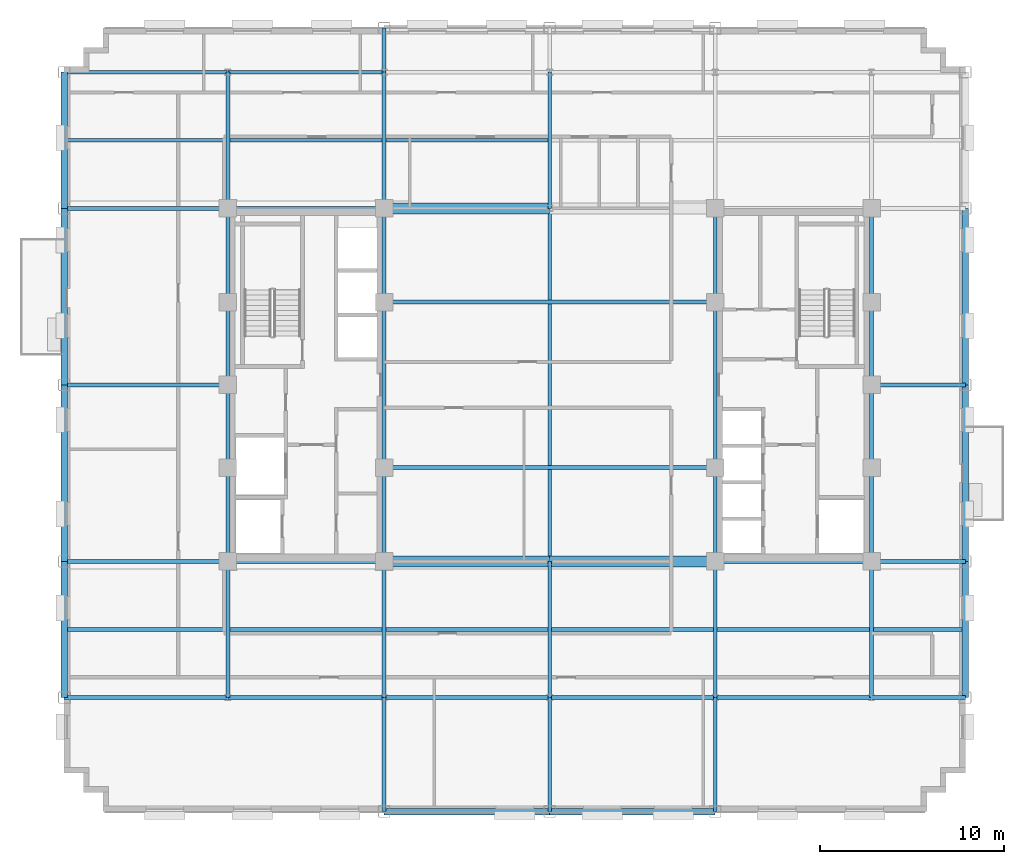
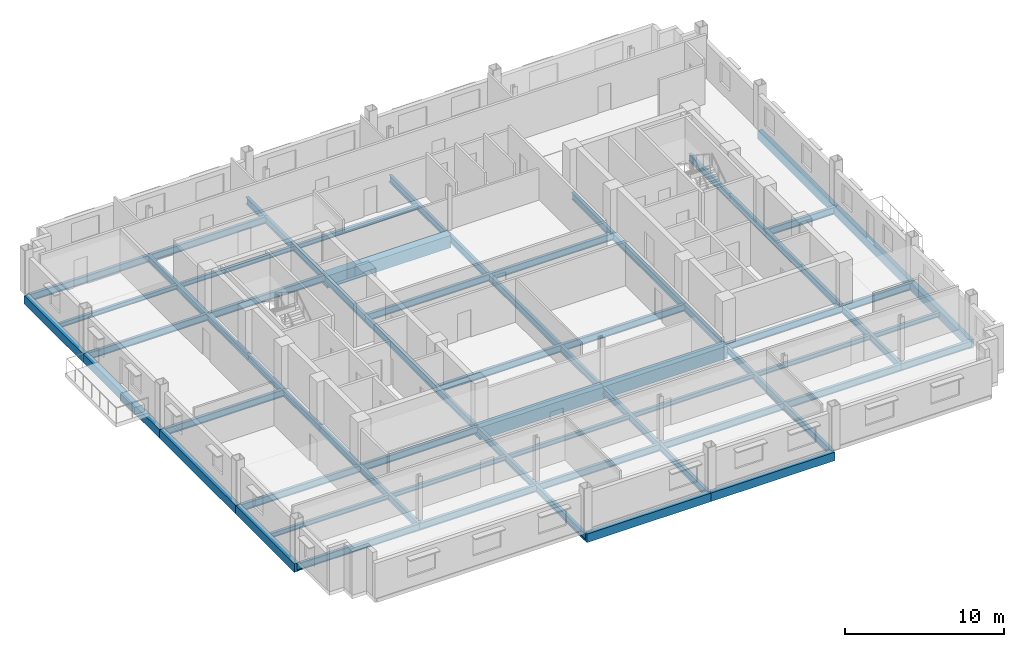
# One storey, part 5 of 14: 66 beams.
"""IFC4 building model written with IfcOpenShell, lengths in metres."""

from ifc_helpers import new_model, si_unit, direction, frame, origin, origin_2d, place, context, subcontext, project, spatial, rectangle, i_section, extrude, material, material_profile, profile_set, type_object, element, save


model = new_model("IFC4")

# Units and contexts
model_context = context("Model", 3, precision=1e-05, world=origin(), true_north=direction((0.0, 1.0)))
body_context = subcontext(model_context, "Body", "Model", "MODEL_VIEW")
ifc_project = project(units=[si_unit("LENGTHUNIT", "METRE"), si_unit("AREAUNIT", "SQUARE_METRE"), si_unit("VOLUMEUNIT", "CUBIC_METRE"), si_unit("PLANEANGLEUNIT", "RADIAN"), si_unit("MASSUNIT", "GRAM", prefix="KILO")], contexts=[model_context])

# Site, building, storey
site_placement = place(None, origin())
site = spatial("IfcSite", under=ifc_project, at=site_placement, CompositionType="ELEMENT")
building_placement = place(site_placement, origin())
building = spatial("IfcBuilding", under=site, at=building_placement, Name="Nuvemarco Arch Tower", CompositionType="ELEMENT")
storey_placement = place(building_placement, frame((0.0, 0.0, 174.949951171875)))
storey = spatial("IfcBuildingStorey", under=building, at=storey_placement, Name="L46", CompositionType="ELEMENT", Elevation=174.949951171875)

# Beams
ifc_material_1 = material(Name="Concrete C60/75", Category="concrete")
ifc_material_profile_1 = material_profile(ifc_material_1, rectangle(XDim=0.60009765625, YDim=0.949951171875, at=origin_2d()), Name="RC-BM-600x950")
ifc_profile_set_1 = profile_set([ifc_material_profile_1], Name="Concrete C60/75")
beam_type_1 = type_object("IfcBeamType", Name="BM-COUP-RC", PredefinedType="LINTEL", material=ifc_profile_set_1)
for number, where, z_axis, x_axis, name in (
    (1, (-9.0, -9.60009765625, -0.7548828125), (1.0, 0.0, 0.0), (0.0, 1.0, 0.0), "L46 structural beam BGEW_L46_0_-9.6_-9.0"),
    (2, (0.0, -9.60009765625, -0.7548828125), (1.0, 0.0, 0.0), (0.0, 1.0, 0.0), "L46 structural beam BGEW_L46_0_-9.6_+0.0"),
    (3, (-9.0, 9.60009765625, -0.7548828125), (1.0, 0.0, 0.0), (0.0, 1.0, 0.0), "L46 structural beam BGEW_L46_0_+9.6_-9.0"),
):
    element("IfcBeam", number, at=place(storey_placement, frame(where, z_axis=z_axis, x_axis=x_axis)), inside=storey, type_object=beam_type_1, Name=name, PredefinedType="LINTEL", context=body_context, shape_type="SweptSolid", body=[
        extrude(rectangle(XDim=0.60009765625, YDim=0.949951171875, at=origin_2d()), origin(), (0.0, 0.0, 1.0), 9.0),
    ])
ifc_material_2 = material(Name="Steel S355", Category="steel")
ifc_material_profile_2 = material_profile(ifc_material_2, i_section(OverallWidth=0.2109375, OverallDepth=0.5390625, WebThickness=0.01171875, FlangeThickness=0.018798828125, FilletRadius=0.01611328125, at=origin_2d()), Name="W530x109")
ifc_profile_set_2 = profile_set([ifc_material_profile_2], Name="Steel S355")
beam_type_2 = type_object("IfcBeamType", Name="BM-GIRD-530", PredefinedType="BEAM", material=ifc_profile_set_2)
beam_1_placement = place(storey_placement, frame((-17.5, -17.0, -0.549560546875), z_axis=(0.0, 1.0, 0.0), x_axis=(-1.0, 0.0, 0.0)))
element("IfcBeam", 4, at=beam_1_placement, inside=storey, type_object=beam_type_2, Name="L46 structural beam BGNS_L46_0_-17.5_-17.0", PredefinedType="BEAM", context=body_context, shape_type="SweptSolid", body=[
    extrude(i_section(OverallWidth=0.2109375, OverallDepth=0.5390625, WebThickness=0.01171875, FlangeThickness=0.018798828125, FilletRadius=0.01611328125, at=origin_2d()), origin(), (0.0, 0.0, 1.0), 7.39990234375),
])
beam_2_placement = place(storey_placement, frame((-17.5, -9.60009765625, -0.549560546875), z_axis=(0.0, 1.0, 0.0), x_axis=(-1.0, 0.0, 0.0)))
element("IfcBeam", 5, at=beam_2_placement, inside=storey, type_object=beam_type_2, Name="L46 structural beam BGNS_L46_0_-17.5_-9.6", PredefinedType="BEAM", context=body_context, shape_type="SweptSolid", body=[
    extrude(i_section(OverallWidth=0.2109375, OverallDepth=0.5390625, WebThickness=0.01171875, FlangeThickness=0.018798828125, FilletRadius=0.01611328125, at=origin_2d()), origin(), (0.0, 0.0, 1.0), 5.10009765625),
])
for number, where, z_axis, x_axis, name in (
    (6, (-17.5, -4.5, -0.549560546875), (0.0, 1.0, 0.0), (-1.0, 0.0, 0.0), "L46 structural beam BGNS_L46_0_-17.5_-4.5"),
    (7, (-17.5, 0.0, -0.549560546875), (0.0, 1.0, 0.0), (-1.0, 0.0, 0.0), "L46 structural beam BGNS_L46_0_-17.5_+0.0"),
):
    element("IfcBeam", number, at=place(storey_placement, frame(where, z_axis=z_axis, x_axis=x_axis)), inside=storey, type_object=beam_type_2, Name=name, PredefinedType="BEAM", context=body_context, shape_type="SweptSolid", body=[
        extrude(i_section(OverallWidth=0.2109375, OverallDepth=0.5390625, WebThickness=0.01171875, FlangeThickness=0.018798828125, FilletRadius=0.01611328125, at=origin_2d()), origin(), (0.0, 0.0, 1.0), 4.5),
    ])
beam_3_placement = place(storey_placement, frame((-17.5, 4.5, -0.549560546875), z_axis=(0.0, 1.0, 0.0), x_axis=(-1.0, 0.0, 0.0)))
element("IfcBeam", 8, at=beam_3_placement, inside=storey, type_object=beam_type_2, Name="L46 structural beam BGNS_L46_0_-17.5_+4.5", PredefinedType="BEAM", context=body_context, shape_type="SweptSolid", body=[
    extrude(i_section(OverallWidth=0.2109375, OverallDepth=0.5390625, WebThickness=0.01171875, FlangeThickness=0.018798828125, FilletRadius=0.01611328125, at=origin_2d()), origin(), (0.0, 0.0, 1.0), 5.10009765625),
])
beam_4_placement = place(storey_placement, frame((-17.5, 9.60009765625, -0.549560546875), z_axis=(0.0, 1.0, 0.0), x_axis=(-1.0, 0.0, 0.0)))
element("IfcBeam", 9, at=beam_4_placement, inside=storey, type_object=beam_type_2, Name="L46 structural beam BGNS_L46_0_-17.5_+9.6", PredefinedType="BEAM", context=body_context, shape_type="SweptSolid", body=[
    extrude(i_section(OverallWidth=0.2109375, OverallDepth=0.5390625, WebThickness=0.01171875, FlangeThickness=0.018798828125, FilletRadius=0.01611328125, at=origin_2d()), origin(), (0.0, 0.0, 1.0), 7.39990234375),
])
beam_5_placement = place(storey_placement, frame((-9.0, -23.199951171875, -0.549560546875), z_axis=(0.0, 1.0, 0.0), x_axis=(-1.0, 0.0, 0.0)))
element("IfcBeam", 10, at=beam_5_placement, inside=storey, type_object=beam_type_2, Name="L46 structural beam BGNS_L46_0_-9.0_-23.2", PredefinedType="BEAM", context=body_context, shape_type="SweptSolid", body=[
    extrude(i_section(OverallWidth=0.2109375, OverallDepth=0.5390625, WebThickness=0.01171875, FlangeThickness=0.018798828125, FilletRadius=0.01611328125, at=origin_2d()), origin(), (0.0, 0.0, 1.0), 6.199951171875),
])
beam_6_placement = place(storey_placement, frame((-9.0, -17.0, -0.549560546875), z_axis=(0.0, 1.0, 0.0), x_axis=(-1.0, 0.0, 0.0)))
element("IfcBeam", 11, at=beam_6_placement, inside=storey, type_object=beam_type_2, Name="L46 structural beam BGNS_L46_0_-9.0_-17.0", PredefinedType="BEAM", context=body_context, shape_type="SweptSolid", body=[
    extrude(i_section(OverallWidth=0.2109375, OverallDepth=0.5390625, WebThickness=0.01171875, FlangeThickness=0.018798828125, FilletRadius=0.01611328125, at=origin_2d()), origin(), (0.0, 0.0, 1.0), 7.39990234375),
])
beam_7_placement = place(storey_placement, frame((-9.0, -9.60009765625, -0.549560546875), z_axis=(0.0, 1.0, 0.0), x_axis=(-1.0, 0.0, 0.0)))
element("IfcBeam", 12, at=beam_7_placement, inside=storey, type_object=beam_type_2, Name="L46 structural beam BGNS_L46_0_-9.0_-9.6", PredefinedType="BEAM", context=body_context, shape_type="SweptSolid", body=[
    extrude(i_section(OverallWidth=0.2109375, OverallDepth=0.5390625, WebThickness=0.01171875, FlangeThickness=0.018798828125, FilletRadius=0.01611328125, at=origin_2d()), origin(), (0.0, 0.0, 1.0), 5.10009765625),
])
beam_8_placement = place(storey_placement, frame((-9.0, -4.5, -0.549560546875), z_axis=(0.0, 1.0, 0.0), x_axis=(-1.0, 0.0, 0.0)))
element("IfcBeam", 13, at=beam_8_placement, inside=storey, type_object=beam_type_2, Name="L46 structural beam BGNS_L46_0_-9.0_-4.5", PredefinedType="BEAM", context=body_context, shape_type="SweptSolid", body=[
    extrude(i_section(OverallWidth=0.2109375, OverallDepth=0.5390625, WebThickness=0.01171875, FlangeThickness=0.018798828125, FilletRadius=0.01611328125, at=origin_2d()), origin(), (0.0, 0.0, 1.0), 9.0),
])
beam_9_placement = place(storey_placement, frame((-9.0, 4.5, -0.549560546875), z_axis=(0.0, 1.0, 0.0), x_axis=(-1.0, 0.0, 0.0)))
element("IfcBeam", 14, at=beam_9_placement, inside=storey, type_object=beam_type_2, Name="L46 structural beam BGNS_L46_0_-9.0_+4.5", PredefinedType="BEAM", context=body_context, shape_type="SweptSolid", body=[
    extrude(i_section(OverallWidth=0.2109375, OverallDepth=0.5390625, WebThickness=0.01171875, FlangeThickness=0.018798828125, FilletRadius=0.01611328125, at=origin_2d()), origin(), (0.0, 0.0, 1.0), 5.10009765625),
])
beam_10_placement = place(storey_placement, frame((-9.0, 9.60009765625, -0.549560546875), z_axis=(0.0, 1.0, 0.0), x_axis=(-1.0, 0.0, 0.0)))
element("IfcBeam", 15, at=beam_10_placement, inside=storey, type_object=beam_type_2, Name="L46 structural beam BGNS_L46_0_-9.0_+9.6", PredefinedType="BEAM", context=body_context, shape_type="SweptSolid", body=[
    extrude(i_section(OverallWidth=0.2109375, OverallDepth=0.5390625, WebThickness=0.01171875, FlangeThickness=0.018798828125, FilletRadius=0.01611328125, at=origin_2d()), origin(), (0.0, 0.0, 1.0), 7.39990234375),
])
beam_11_placement = place(storey_placement, frame((-9.0, 17.0, -0.549560546875), z_axis=(0.0, 1.0, 0.0), x_axis=(-1.0, 0.0, 0.0)))
element("IfcBeam", 16, at=beam_11_placement, inside=storey, type_object=beam_type_2, Name="L46 structural beam BGNS_L46_0_-9.0_+17.0", PredefinedType="BEAM", context=body_context, shape_type="SweptSolid", body=[
    extrude(i_section(OverallWidth=0.2109375, OverallDepth=0.5390625, WebThickness=0.01171875, FlangeThickness=0.018798828125, FilletRadius=0.01611328125, at=origin_2d()), origin(), (0.0, 0.0, 1.0), 2.39990234375),
])
beam_12_placement = place(storey_placement, frame((0.0, -23.199951171875, -0.549560546875), z_axis=(0.0, 1.0, 0.0), x_axis=(-1.0, 0.0, 0.0)))
element("IfcBeam", 17, at=beam_12_placement, inside=storey, type_object=beam_type_2, Name="L46 structural beam BGNS_L46_0_+0.0_-23.2", PredefinedType="BEAM", context=body_context, shape_type="SweptSolid", body=[
    extrude(i_section(OverallWidth=0.2109375, OverallDepth=0.5390625, WebThickness=0.01171875, FlangeThickness=0.018798828125, FilletRadius=0.01611328125, at=origin_2d()), origin(), (0.0, 0.0, 1.0), 6.199951171875),
])
beam_13_placement = place(storey_placement, frame((0.0, -17.0, -0.549560546875), z_axis=(0.0, 1.0, 0.0), x_axis=(-1.0, 0.0, 0.0)))
element("IfcBeam", 18, at=beam_13_placement, inside=storey, type_object=beam_type_2, Name="L46 structural beam BGNS_L46_0_+0.0_-17.0", PredefinedType="BEAM", context=body_context, shape_type="SweptSolid", body=[
    extrude(i_section(OverallWidth=0.2109375, OverallDepth=0.5390625, WebThickness=0.01171875, FlangeThickness=0.018798828125, FilletRadius=0.01611328125, at=origin_2d()), origin(), (0.0, 0.0, 1.0), 7.39990234375),
])
beam_14_placement = place(storey_placement, frame((0.0, -9.60009765625, -0.549560546875), z_axis=(0.0, 1.0, 0.0), x_axis=(-1.0, 0.0, 0.0)))
element("IfcBeam", 19, at=beam_14_placement, inside=storey, type_object=beam_type_2, Name="L46 structural beam BGNS_L46_0_+0.0_-9.6", PredefinedType="BEAM", context=body_context, shape_type="SweptSolid", body=[
    extrude(i_section(OverallWidth=0.2109375, OverallDepth=0.5390625, WebThickness=0.01171875, FlangeThickness=0.018798828125, FilletRadius=0.01611328125, at=origin_2d()), origin(), (0.0, 0.0, 1.0), 19.2001953125),
])
beam_15_placement = place(storey_placement, frame((0.0, 9.60009765625, -0.549560546875), z_axis=(0.0, 1.0, 0.0), x_axis=(-1.0, 0.0, 0.0)))
element("IfcBeam", 20, at=beam_15_placement, inside=storey, type_object=beam_type_2, Name="L46 structural beam BGNS_L46_0_+0.0_+9.6", PredefinedType="BEAM", context=body_context, shape_type="SweptSolid", body=[
    extrude(i_section(OverallWidth=0.2109375, OverallDepth=0.5390625, WebThickness=0.01171875, FlangeThickness=0.018798828125, FilletRadius=0.01611328125, at=origin_2d()), origin(), (0.0, 0.0, 1.0), 7.39990234375),
])
beam_16_placement = place(storey_placement, frame((9.0, -23.199951171875, -0.549560546875), z_axis=(0.0, 1.0, 0.0), x_axis=(-1.0, 0.0, 0.0)))
element("IfcBeam", 21, at=beam_16_placement, inside=storey, type_object=beam_type_2, Name="L46 structural beam BGNS_L46_0_+9.0_-23.2", PredefinedType="BEAM", context=body_context, shape_type="SweptSolid", body=[
    extrude(i_section(OverallWidth=0.2109375, OverallDepth=0.5390625, WebThickness=0.01171875, FlangeThickness=0.018798828125, FilletRadius=0.01611328125, at=origin_2d()), origin(), (0.0, 0.0, 1.0), 6.199951171875),
])
beam_17_placement = place(storey_placement, frame((9.0, -17.0, -0.549560546875), z_axis=(0.0, 1.0, 0.0), x_axis=(-1.0, 0.0, 0.0)))
element("IfcBeam", 22, at=beam_17_placement, inside=storey, type_object=beam_type_2, Name="L46 structural beam BGNS_L46_0_+9.0_-17.0", PredefinedType="BEAM", context=body_context, shape_type="SweptSolid", body=[
    extrude(i_section(OverallWidth=0.2109375, OverallDepth=0.5390625, WebThickness=0.01171875, FlangeThickness=0.018798828125, FilletRadius=0.01611328125, at=origin_2d()), origin(), (0.0, 0.0, 1.0), 7.39990234375),
])
beam_18_placement = place(storey_placement, frame((9.0, -9.60009765625, -0.549560546875), z_axis=(0.0, 1.0, 0.0), x_axis=(-1.0, 0.0, 0.0)))
element("IfcBeam", 23, at=beam_18_placement, inside=storey, type_object=beam_type_2, Name="L46 structural beam BGNS_L46_0_+9.0_-9.6", PredefinedType="BEAM", context=body_context, shape_type="SweptSolid", body=[
    extrude(i_section(OverallWidth=0.2109375, OverallDepth=0.5390625, WebThickness=0.01171875, FlangeThickness=0.018798828125, FilletRadius=0.01611328125, at=origin_2d()), origin(), (0.0, 0.0, 1.0), 5.10009765625),
])
beam_19_placement = place(storey_placement, frame((9.0, -4.5, -0.549560546875), z_axis=(0.0, 1.0, 0.0), x_axis=(-1.0, 0.0, 0.0)))
element("IfcBeam", 24, at=beam_19_placement, inside=storey, type_object=beam_type_2, Name="L46 structural beam BGNS_L46_0_+9.0_-4.5", PredefinedType="BEAM", context=body_context, shape_type="SweptSolid", body=[
    extrude(i_section(OverallWidth=0.2109375, OverallDepth=0.5390625, WebThickness=0.01171875, FlangeThickness=0.018798828125, FilletRadius=0.01611328125, at=origin_2d()), origin(), (0.0, 0.0, 1.0), 9.0),
])
beam_20_placement = place(storey_placement, frame((9.0, 4.5, -0.549560546875), z_axis=(0.0, 1.0, 0.0), x_axis=(-1.0, 0.0, 0.0)))
element("IfcBeam", 25, at=beam_20_placement, inside=storey, type_object=beam_type_2, Name="L46 structural beam BGNS_L46_0_+9.0_+4.5", PredefinedType="BEAM", context=body_context, shape_type="SweptSolid", body=[
    extrude(i_section(OverallWidth=0.2109375, OverallDepth=0.5390625, WebThickness=0.01171875, FlangeThickness=0.018798828125, FilletRadius=0.01611328125, at=origin_2d()), origin(), (0.0, 0.0, 1.0), 5.10009765625),
])
beam_21_placement = place(storey_placement, frame((17.5, -17.0, -0.549560546875), z_axis=(0.0, 1.0, 0.0), x_axis=(-1.0, 0.0, 0.0)))
element("IfcBeam", 26, at=beam_21_placement, inside=storey, type_object=beam_type_2, Name="L46 structural beam BGNS_L46_0_+17.5_-17.0", PredefinedType="BEAM", context=body_context, shape_type="SweptSolid", body=[
    extrude(i_section(OverallWidth=0.2109375, OverallDepth=0.5390625, WebThickness=0.01171875, FlangeThickness=0.018798828125, FilletRadius=0.01611328125, at=origin_2d()), origin(), (0.0, 0.0, 1.0), 7.39990234375),
])
beam_22_placement = place(storey_placement, frame((17.5, -9.60009765625, -0.549560546875), z_axis=(0.0, 1.0, 0.0), x_axis=(-1.0, 0.0, 0.0)))
element("IfcBeam", 27, at=beam_22_placement, inside=storey, type_object=beam_type_2, Name="L46 structural beam BGNS_L46_0_+17.5_-9.6", PredefinedType="BEAM", context=body_context, shape_type="SweptSolid", body=[
    extrude(i_section(OverallWidth=0.2109375, OverallDepth=0.5390625, WebThickness=0.01171875, FlangeThickness=0.018798828125, FilletRadius=0.01611328125, at=origin_2d()), origin(), (0.0, 0.0, 1.0), 5.10009765625),
])
for number, where, z_axis, x_axis, name in (
    (28, (17.5, -4.5, -0.549560546875), (0.0, 1.0, 0.0), (-1.0, 0.0, 0.0), "L46 structural beam BGNS_L46_0_+17.5_-4.5"),
    (29, (17.5, 0.0, -0.549560546875), (0.0, 1.0, 0.0), (-1.0, 0.0, 0.0), "L46 structural beam BGNS_L46_0_+17.5_+0.0"),
):
    element("IfcBeam", number, at=place(storey_placement, frame(where, z_axis=z_axis, x_axis=x_axis)), inside=storey, type_object=beam_type_2, Name=name, PredefinedType="BEAM", context=body_context, shape_type="SweptSolid", body=[
        extrude(i_section(OverallWidth=0.2109375, OverallDepth=0.5390625, WebThickness=0.01171875, FlangeThickness=0.018798828125, FilletRadius=0.01611328125, at=origin_2d()), origin(), (0.0, 0.0, 1.0), 4.5),
    ])
beam_23_placement = place(storey_placement, frame((17.5, 4.5, -0.549560546875), z_axis=(0.0, 1.0, 0.0), x_axis=(-1.0, 0.0, 0.0)))
element("IfcBeam", 30, at=beam_23_placement, inside=storey, type_object=beam_type_2, Name="L46 structural beam BGNS_L46_0_+17.5_+4.5", PredefinedType="BEAM", context=body_context, shape_type="SweptSolid", body=[
    extrude(i_section(OverallWidth=0.2109375, OverallDepth=0.5390625, WebThickness=0.01171875, FlangeThickness=0.018798828125, FilletRadius=0.01611328125, at=origin_2d()), origin(), (0.0, 0.0, 1.0), 5.10009765625),
])
beam_24_placement = place(storey_placement, frame((-26.39990234375, -17.0, -0.549560546875), z_axis=(1.0, 0.0, 0.0), x_axis=(0.0, 1.0, 0.0)))
element("IfcBeam", 31, at=beam_24_placement, inside=storey, type_object=beam_type_2, Name="L46 structural beam BGEW_L46_0_-17.0_-26.4", PredefinedType="BEAM", context=body_context, shape_type="SweptSolid", body=[
    extrude(i_section(OverallWidth=0.2109375, OverallDepth=0.5390625, WebThickness=0.01171875, FlangeThickness=0.018798828125, FilletRadius=0.01611328125, at=origin_2d()), origin(), (0.0, 0.0, 1.0), 8.89990234375),
])
beam_25_placement = place(storey_placement, frame((-17.5, -17.0, -0.549560546875), z_axis=(1.0, 0.0, 0.0), x_axis=(0.0, 1.0, 0.0)))
element("IfcBeam", 32, at=beam_25_placement, inside=storey, type_object=beam_type_2, Name="L46 structural beam BGEW_L46_0_-17.0_-17.5", PredefinedType="BEAM", context=body_context, shape_type="SweptSolid", body=[
    extrude(i_section(OverallWidth=0.2109375, OverallDepth=0.5390625, WebThickness=0.01171875, FlangeThickness=0.018798828125, FilletRadius=0.01611328125, at=origin_2d()), origin(), (0.0, 0.0, 1.0), 8.5),
])
for number, where, z_axis, x_axis, name in (
    (33, (-9.0, -17.0, -0.549560546875), (1.0, 0.0, 0.0), (0.0, 1.0, 0.0), "L46 structural beam BGEW_L46_0_-17.0_-9.0"),
    (34, (0.0, -17.0, -0.549560546875), (1.0, 0.0, 0.0), (0.0, 1.0, 0.0), "L46 structural beam BGEW_L46_0_-17.0_+0.0"),
):
    element("IfcBeam", number, at=place(storey_placement, frame(where, z_axis=z_axis, x_axis=x_axis)), inside=storey, type_object=beam_type_2, Name=name, PredefinedType="BEAM", context=body_context, shape_type="SweptSolid", body=[
        extrude(i_section(OverallWidth=0.2109375, OverallDepth=0.5390625, WebThickness=0.01171875, FlangeThickness=0.018798828125, FilletRadius=0.01611328125, at=origin_2d()), origin(), (0.0, 0.0, 1.0), 9.0),
    ])
beam_26_placement = place(storey_placement, frame((9.0, -17.0, -0.549560546875), z_axis=(1.0, 0.0, 0.0), x_axis=(0.0, 1.0, 0.0)))
element("IfcBeam", 35, at=beam_26_placement, inside=storey, type_object=beam_type_2, Name="L46 structural beam BGEW_L46_0_-17.0_+9.0", PredefinedType="BEAM", context=body_context, shape_type="SweptSolid", body=[
    extrude(i_section(OverallWidth=0.2109375, OverallDepth=0.5390625, WebThickness=0.01171875, FlangeThickness=0.018798828125, FilletRadius=0.01611328125, at=origin_2d()), origin(), (0.0, 0.0, 1.0), 8.5),
])
beam_27_placement = place(storey_placement, frame((17.5, -17.0, -0.549560546875), z_axis=(1.0, 0.0, 0.0), x_axis=(0.0, 1.0, 0.0)))
element("IfcBeam", 36, at=beam_27_placement, inside=storey, type_object=beam_type_2, Name="L46 structural beam BGEW_L46_0_-17.0_+17.5", PredefinedType="BEAM", context=body_context, shape_type="SweptSolid", body=[
    extrude(i_section(OverallWidth=0.2109375, OverallDepth=0.5390625, WebThickness=0.01171875, FlangeThickness=0.018798828125, FilletRadius=0.01611328125, at=origin_2d()), origin(), (0.0, 0.0, 1.0), 5.10009765625),
])
beam_28_placement = place(storey_placement, frame((-26.39990234375, -9.60009765625, -0.549560546875), z_axis=(1.0, 0.0, 0.0), x_axis=(0.0, 1.0, 0.0)))
element("IfcBeam", 37, at=beam_28_placement, inside=storey, type_object=beam_type_2, Name="L46 structural beam BGEW_L46_0_-9.6_-26.4", PredefinedType="BEAM", context=body_context, shape_type="SweptSolid", body=[
    extrude(i_section(OverallWidth=0.2109375, OverallDepth=0.5390625, WebThickness=0.01171875, FlangeThickness=0.018798828125, FilletRadius=0.01611328125, at=origin_2d()), origin(), (0.0, 0.0, 1.0), 8.89990234375),
])
for number, where, z_axis, x_axis, name in (
    (38, (-17.5, -9.60009765625, -0.549560546875), (1.0, 0.0, 0.0), (0.0, 1.0, 0.0), "L46 structural beam BGEW_L46_0_-9.6_-17.5"),
    (39, (9.0, -9.60009765625, -0.549560546875), (1.0, 0.0, 0.0), (0.0, 1.0, 0.0), "L46 structural beam BGEW_L46_0_-9.6_+9.0"),
):
    element("IfcBeam", number, at=place(storey_placement, frame(where, z_axis=z_axis, x_axis=x_axis)), inside=storey, type_object=beam_type_2, Name=name, PredefinedType="BEAM", context=body_context, shape_type="SweptSolid", body=[
        extrude(i_section(OverallWidth=0.2109375, OverallDepth=0.5390625, WebThickness=0.01171875, FlangeThickness=0.018798828125, FilletRadius=0.01611328125, at=origin_2d()), origin(), (0.0, 0.0, 1.0), 8.5),
    ])
beam_29_placement = place(storey_placement, frame((17.5, -9.60009765625, -0.549560546875), z_axis=(1.0, 0.0, 0.0), x_axis=(0.0, 1.0, 0.0)))
element("IfcBeam", 40, at=beam_29_placement, inside=storey, type_object=beam_type_2, Name="L46 structural beam BGEW_L46_0_-9.6_+17.5", PredefinedType="BEAM", context=body_context, shape_type="SweptSolid", body=[
    extrude(i_section(OverallWidth=0.2109375, OverallDepth=0.5390625, WebThickness=0.01171875, FlangeThickness=0.018798828125, FilletRadius=0.01611328125, at=origin_2d()), origin(), (0.0, 0.0, 1.0), 5.10009765625),
])
beam_30_placement = place(storey_placement, frame((-9.0, -4.5, -0.549560546875), z_axis=(1.0, 0.0, 0.0), x_axis=(0.0, 1.0, 0.0)))
element("IfcBeam", 41, at=beam_30_placement, inside=storey, type_object=beam_type_2, Name="L46 structural beam BGEW_L46_0_-4.5_-9.0", PredefinedType="BEAM", context=body_context, shape_type="SweptSolid", body=[
    extrude(i_section(OverallWidth=0.2109375, OverallDepth=0.5390625, WebThickness=0.01171875, FlangeThickness=0.018798828125, FilletRadius=0.01611328125, at=origin_2d()), origin(), (0.0, 0.0, 1.0), 18.0),
])
beam_31_placement = place(storey_placement, frame((-26.39990234375, 0.0, -0.549560546875), z_axis=(1.0, 0.0, 0.0), x_axis=(0.0, 1.0, 0.0)))
element("IfcBeam", 42, at=beam_31_placement, inside=storey, type_object=beam_type_2, Name="L46 structural beam BGEW_L46_0_+0.0_-26.4", PredefinedType="BEAM", context=body_context, shape_type="SweptSolid", body=[
    extrude(i_section(OverallWidth=0.2109375, OverallDepth=0.5390625, WebThickness=0.01171875, FlangeThickness=0.018798828125, FilletRadius=0.01611328125, at=origin_2d()), origin(), (0.0, 0.0, 1.0), 8.89990234375),
])
beam_32_placement = place(storey_placement, frame((17.5, 0.0, -0.549560546875), z_axis=(1.0, 0.0, 0.0), x_axis=(0.0, 1.0, 0.0)))
element("IfcBeam", 43, at=beam_32_placement, inside=storey, type_object=beam_type_2, Name="L46 structural beam BGEW_L46_0_+0.0_+17.5", PredefinedType="BEAM", context=body_context, shape_type="SweptSolid", body=[
    extrude(i_section(OverallWidth=0.2109375, OverallDepth=0.5390625, WebThickness=0.01171875, FlangeThickness=0.018798828125, FilletRadius=0.01611328125, at=origin_2d()), origin(), (0.0, 0.0, 1.0), 5.10009765625),
])
beam_33_placement = place(storey_placement, frame((-9.0, 4.5, -0.549560546875), z_axis=(1.0, 0.0, 0.0), x_axis=(0.0, 1.0, 0.0)))
element("IfcBeam", 44, at=beam_33_placement, inside=storey, type_object=beam_type_2, Name="L46 structural beam BGEW_L46_0_+4.5_-9.0", PredefinedType="BEAM", context=body_context, shape_type="SweptSolid", body=[
    extrude(i_section(OverallWidth=0.2109375, OverallDepth=0.5390625, WebThickness=0.01171875, FlangeThickness=0.018798828125, FilletRadius=0.01611328125, at=origin_2d()), origin(), (0.0, 0.0, 1.0), 18.0),
])
beam_34_placement = place(storey_placement, frame((-26.39990234375, 9.60009765625, -0.549560546875), z_axis=(1.0, 0.0, 0.0), x_axis=(0.0, 1.0, 0.0)))
element("IfcBeam", 45, at=beam_34_placement, inside=storey, type_object=beam_type_2, Name="L46 structural beam BGEW_L46_0_+9.6_-26.4", PredefinedType="BEAM", context=body_context, shape_type="SweptSolid", body=[
    extrude(i_section(OverallWidth=0.2109375, OverallDepth=0.5390625, WebThickness=0.01171875, FlangeThickness=0.018798828125, FilletRadius=0.01611328125, at=origin_2d()), origin(), (0.0, 0.0, 1.0), 8.89990234375),
])
beam_35_placement = place(storey_placement, frame((-17.5, 9.60009765625, -0.549560546875), z_axis=(1.0, 0.0, 0.0), x_axis=(0.0, 1.0, 0.0)))
element("IfcBeam", 46, at=beam_35_placement, inside=storey, type_object=beam_type_2, Name="L46 structural beam BGEW_L46_0_+9.6_-17.5", PredefinedType="BEAM", context=body_context, shape_type="SweptSolid", body=[
    extrude(i_section(OverallWidth=0.2109375, OverallDepth=0.5390625, WebThickness=0.01171875, FlangeThickness=0.018798828125, FilletRadius=0.01611328125, at=origin_2d()), origin(), (0.0, 0.0, 1.0), 8.5),
])
beam_36_placement = place(storey_placement, frame((-26.39990234375, 17.0, -0.549560546875), z_axis=(1.0, 0.0, 0.0), x_axis=(0.0, 1.0, 0.0)))
element("IfcBeam", 47, at=beam_36_placement, inside=storey, type_object=beam_type_2, Name="L46 structural beam BGEW_L46_0_+17.0_-26.4", PredefinedType="BEAM", context=body_context, shape_type="SweptSolid", body=[
    extrude(i_section(OverallWidth=0.2109375, OverallDepth=0.5390625, WebThickness=0.01171875, FlangeThickness=0.018798828125, FilletRadius=0.01611328125, at=origin_2d()), origin(), (0.0, 0.0, 1.0), 8.89990234375),
])
beam_37_placement = place(storey_placement, frame((-17.5, 17.0, -0.549560546875), z_axis=(1.0, 0.0, 0.0), x_axis=(0.0, 1.0, 0.0)))
element("IfcBeam", 48, at=beam_37_placement, inside=storey, type_object=beam_type_2, Name="L46 structural beam BGEW_L46_0_+17.0_-17.5", PredefinedType="BEAM", context=body_context, shape_type="SweptSolid", body=[
    extrude(i_section(OverallWidth=0.2109375, OverallDepth=0.5390625, WebThickness=0.01171875, FlangeThickness=0.018798828125, FilletRadius=0.01611328125, at=origin_2d()), origin(), (0.0, 0.0, 1.0), 8.5),
])
ifc_material_profile_3 = material_profile(ifc_material_2, i_section(OverallWidth=0.202880859375, OverallDepth=0.346923828125, WebThickness=0.0078125, FlangeThickness=0.013427734375, FilletRadius=0.014892578125, at=origin_2d()), Name="W360x64")
ifc_profile_set_3 = profile_set([ifc_material_profile_3], Name="Steel S355")
beam_type_3 = type_object("IfcBeamType", Name="BM-JOIST-360", PredefinedType="JOIST", material=ifc_profile_set_3)
beam_38_placement = place(storey_placement, frame((-26.22509765625, -13.300048828125, -0.453369140625), z_axis=(1.0, 0.0, 0.0), x_axis=(0.0, 1.0, 0.0)))
element("IfcBeam", 49, at=beam_38_placement, inside=storey, type_object=beam_type_3, Name="L46 structural beam BJ_L46_0_-13.3_-26.4", PredefinedType="JOIST", context=body_context, shape_type="SweptSolid", body=[
    extrude(i_section(OverallWidth=0.202880859375, OverallDepth=0.346923828125, WebThickness=0.0078125, FlangeThickness=0.013427734375, FilletRadius=0.014892578125, at=origin_2d()), origin(), (0.0, 0.0, 1.0), 8.61962890625),
])
beam_39_placement = place(storey_placement, frame((-17.39453125, -13.300048828125, -0.453369140625), z_axis=(1.0, 0.0, 0.0), x_axis=(0.0, 1.0, 0.0)))
element("IfcBeam", 50, at=beam_39_placement, inside=storey, type_object=beam_type_3, Name="L46 structural beam BJ_L46_0_-13.3_-17.5", PredefinedType="JOIST", context=body_context, shape_type="SweptSolid", body=[
    extrude(i_section(OverallWidth=0.202880859375, OverallDepth=0.346923828125, WebThickness=0.0078125, FlangeThickness=0.013427734375, FilletRadius=0.014892578125, at=origin_2d()), origin(), (0.0, 0.0, 1.0), 8.2890625),
])
for number, where, z_axis, x_axis, name in (
    (51, (-8.89453125, -13.300048828125, -0.453369140625), (1.0, 0.0, 0.0), (0.0, 1.0, 0.0), "L46 structural beam BJ_L46_0_-13.3_-9.0"),
    (52, (0.10546875, -13.300048828125, -0.453369140625), (1.0, 0.0, 0.0), (0.0, 1.0, 0.0), "L46 structural beam BJ_L46_0_-13.3_+0.0"),
):
    element("IfcBeam", number, at=place(storey_placement, frame(where, z_axis=z_axis, x_axis=x_axis)), inside=storey, type_object=beam_type_3, Name=name, PredefinedType="JOIST", context=body_context, shape_type="SweptSolid", body=[
        extrude(i_section(OverallWidth=0.202880859375, OverallDepth=0.346923828125, WebThickness=0.0078125, FlangeThickness=0.013427734375, FilletRadius=0.014892578125, at=origin_2d()), origin(), (0.0, 0.0, 1.0), 8.7890625),
    ])
beam_40_placement = place(storey_placement, frame((9.10546875, -13.300048828125, -0.453369140625), z_axis=(1.0, 0.0, 0.0), x_axis=(0.0, 1.0, 0.0)))
element("IfcBeam", 53, at=beam_40_placement, inside=storey, type_object=beam_type_3, Name="L46 structural beam BJ_L46_0_-13.3_+9.0", PredefinedType="JOIST", context=body_context, shape_type="SweptSolid", body=[
    extrude(i_section(OverallWidth=0.202880859375, OverallDepth=0.346923828125, WebThickness=0.0078125, FlangeThickness=0.013427734375, FilletRadius=0.014892578125, at=origin_2d()), origin(), (0.0, 0.0, 1.0), 8.2890625),
])
beam_41_placement = place(storey_placement, frame((17.60546875, -13.300048828125, -0.453369140625), z_axis=(1.0, 0.0, 0.0), x_axis=(0.0, 1.0, 0.0)))
element("IfcBeam", 54, at=beam_41_placement, inside=storey, type_object=beam_type_3, Name="L46 structural beam BJ_L46_0_-13.3_+17.5", PredefinedType="JOIST", context=body_context, shape_type="SweptSolid", body=[
    extrude(i_section(OverallWidth=0.202880859375, OverallDepth=0.346923828125, WebThickness=0.0078125, FlangeThickness=0.013427734375, FilletRadius=0.014892578125, at=origin_2d()), origin(), (0.0, 0.0, 1.0), 4.819580078125),
])
beam_42_placement = place(storey_placement, frame((-26.22509765625, 13.300048828125, -0.453369140625), z_axis=(1.0, 0.0, 0.0), x_axis=(0.0, 1.0, 0.0)))
element("IfcBeam", 55, at=beam_42_placement, inside=storey, type_object=beam_type_3, Name="L46 structural beam BJ_L46_0_+13.3_-26.4", PredefinedType="JOIST", context=body_context, shape_type="SweptSolid", body=[
    extrude(i_section(OverallWidth=0.202880859375, OverallDepth=0.346923828125, WebThickness=0.0078125, FlangeThickness=0.013427734375, FilletRadius=0.014892578125, at=origin_2d()), origin(), (0.0, 0.0, 1.0), 8.61962890625),
])
beam_43_placement = place(storey_placement, frame((-17.39453125, 13.300048828125, -0.453369140625), z_axis=(1.0, 0.0, 0.0), x_axis=(0.0, 1.0, 0.0)))
element("IfcBeam", 56, at=beam_43_placement, inside=storey, type_object=beam_type_3, Name="L46 structural beam BJ_L46_0_+13.3_-17.5", PredefinedType="JOIST", context=body_context, shape_type="SweptSolid", body=[
    extrude(i_section(OverallWidth=0.202880859375, OverallDepth=0.346923828125, WebThickness=0.0078125, FlangeThickness=0.013427734375, FilletRadius=0.014892578125, at=origin_2d()), origin(), (0.0, 0.0, 1.0), 8.2890625),
])
beam_44_placement = place(storey_placement, frame((-8.89453125, 13.300048828125, -0.453369140625), z_axis=(1.0, 0.0, 0.0), x_axis=(0.0, 1.0, 0.0)))
element("IfcBeam", 57, at=beam_44_placement, inside=storey, type_object=beam_type_3, Name="L46 structural beam BJ_L46_0_+13.3_-9.0", PredefinedType="JOIST", context=body_context, shape_type="SweptSolid", body=[
    extrude(i_section(OverallWidth=0.202880859375, OverallDepth=0.346923828125, WebThickness=0.0078125, FlangeThickness=0.013427734375, FilletRadius=0.014892578125, at=origin_2d()), origin(), (0.0, 0.0, 1.0), 8.7890625),
])
ifc_material_3 = material(Name="Precast concrete C45/55", Category="concrete")
ifc_material_profile_4 = material_profile(ifc_material_3, rectangle(XDim=0.35009765625, YDim=0.64990234375, at=origin_2d()), Name="PC-SP-350x650")
ifc_profile_set_4 = profile_set([ifc_material_profile_4], Name="Precast concrete C45/55")
beam_type_4 = type_object("IfcBeamType", Name="BM-SPAN-RC", PredefinedType="SPANDREL", material=ifc_profile_set_4)
beam_45_placement = place(storey_placement, frame((-26.39990234375, -17.0, -0.60498046875), z_axis=(0.0, 1.0, 0.0), x_axis=(-1.0, 0.0, 0.0)))
element("IfcBeam", 58, at=beam_45_placement, inside=storey, type_object=beam_type_4, Name="L46 structural beam BGNS_L46_0_-26.4_-17.0", PredefinedType="SPANDREL", context=body_context, shape_type="SweptSolid", body=[
    extrude(rectangle(XDim=0.35009765625, YDim=0.64990234375, at=origin_2d()), origin(), (0.0, 0.0, 1.0), 7.39990234375),
])
for number, where, z_axis, x_axis, name in (
    (59, (-26.39990234375, -9.60009765625, -0.60498046875), (0.0, 1.0, 0.0), (-1.0, 0.0, 0.0), "L46 structural beam BGNS_L46_0_-26.4_-9.6"),
    (60, (-26.39990234375, 0.0, -0.60498046875), (0.0, 1.0, 0.0), (-1.0, 0.0, 0.0), "L46 structural beam BGNS_L46_0_-26.4_+0.0"),
):
    element("IfcBeam", number, at=place(storey_placement, frame(where, z_axis=z_axis, x_axis=x_axis)), inside=storey, type_object=beam_type_4, Name=name, PredefinedType="SPANDREL", context=body_context, shape_type="SweptSolid", body=[
        extrude(rectangle(XDim=0.35009765625, YDim=0.64990234375, at=origin_2d()), origin(), (0.0, 0.0, 1.0), 9.60009765625),
    ])
for number, where, z_axis, x_axis, name in (
    (61, (-26.39990234375, 9.60009765625, -0.60498046875), (0.0, 1.0, 0.0), (-1.0, 0.0, 0.0), "L46 structural beam BGNS_L46_0_-26.4_+9.6"),
    (62, (22.60009765625, -17.0, -0.60498046875), (0.0, 1.0, 0.0), (-1.0, 0.0, 0.0), "L46 structural beam BGNS_L46_0_+22.6_-17.0"),
):
    element("IfcBeam", number, at=place(storey_placement, frame(where, z_axis=z_axis, x_axis=x_axis)), inside=storey, type_object=beam_type_4, Name=name, PredefinedType="SPANDREL", context=body_context, shape_type="SweptSolid", body=[
        extrude(rectangle(XDim=0.35009765625, YDim=0.64990234375, at=origin_2d()), origin(), (0.0, 0.0, 1.0), 7.39990234375),
    ])
for number, where, z_axis, x_axis, name in (
    (63, (22.60009765625, -9.60009765625, -0.60498046875), (0.0, 1.0, 0.0), (-1.0, 0.0, 0.0), "L46 structural beam BGNS_L46_0_+22.6_-9.6"),
    (64, (22.60009765625, 0.0, -0.60498046875), (0.0, 1.0, 0.0), (-1.0, 0.0, 0.0), "L46 structural beam BGNS_L46_0_+22.6_+0.0"),
):
    element("IfcBeam", number, at=place(storey_placement, frame(where, z_axis=z_axis, x_axis=x_axis)), inside=storey, type_object=beam_type_4, Name=name, PredefinedType="SPANDREL", context=body_context, shape_type="SweptSolid", body=[
        extrude(rectangle(XDim=0.35009765625, YDim=0.64990234375, at=origin_2d()), origin(), (0.0, 0.0, 1.0), 9.60009765625),
    ])
for number, where, z_axis, x_axis, name in (
    (65, (-9.0, -23.199951171875, -0.60498046875), (1.0, 0.0, 0.0), (0.0, 1.0, 0.0), "L46 structural beam BGEW_L46_0_-23.2_-9.0"),
    (66, (0.0, -23.199951171875, -0.60498046875), (1.0, 0.0, 0.0), (0.0, 1.0, 0.0), "L46 structural beam BGEW_L46_0_-23.2_+0.0"),
):
    element("IfcBeam", number, at=place(storey_placement, frame(where, z_axis=z_axis, x_axis=x_axis)), inside=storey, type_object=beam_type_4, Name=name, PredefinedType="SPANDREL", context=body_context, shape_type="SweptSolid", body=[
        extrude(rectangle(XDim=0.35009765625, YDim=0.64990234375, at=origin_2d()), origin(), (0.0, 0.0, 1.0), 9.0),
    ])

save(model, "model.ifc")
